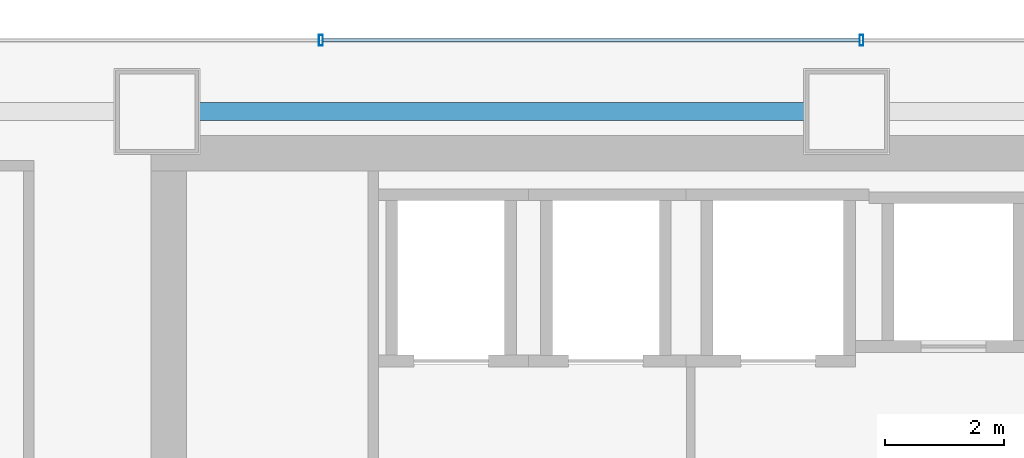
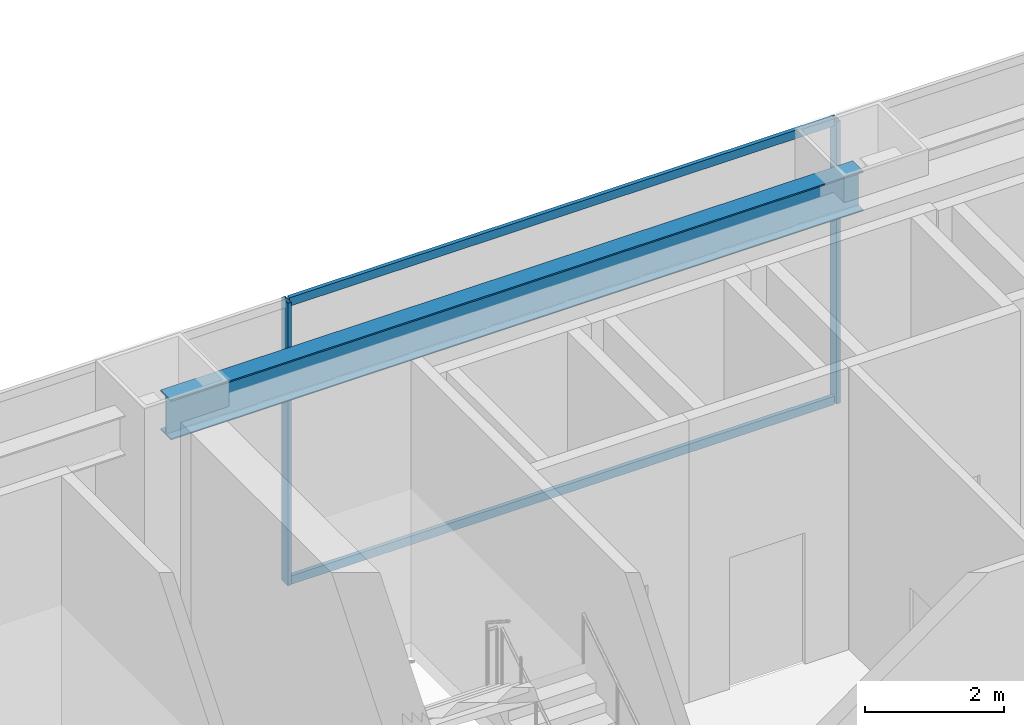
# One storey, part 30 of 42: 4 members, 1 beam, 1 element without a shape of its own.
"""IFC4 building model written with IfcOpenShell, lengths in metres."""

from ifc_helpers import new_model, si_unit, direction, frame, origin, origin_2d, place, context, subcontext, project, spatial, hollow_rectangle, i_section, extrude, material, material_profile, profile_set, type_object, element, aggregate, save


model = new_model("IFC4")

# Units and contexts
model_context = context("Model", 3, precision=1e-05, world=origin(), true_north=direction((0.0, 1.0)))
body_context = subcontext(model_context, "Body", "Model", "MODEL_VIEW")
ifc_project = project(units=[si_unit("LENGTHUNIT", "METRE"), si_unit("AREAUNIT", "SQUARE_METRE"), si_unit("VOLUMEUNIT", "CUBIC_METRE"), si_unit("PLANEANGLEUNIT", "RADIAN"), si_unit("MASSUNIT", "GRAM", prefix="KILO")], contexts=[model_context])

# Site, building, storey
site_placement = place(None, origin())
site = spatial("IfcSite", under=ifc_project, at=site_placement, CompositionType="ELEMENT")
building_placement = place(site_placement, origin())
building = spatial("IfcBuilding", under=site, at=building_placement, Name="Saevonmaru Cultural Tower", CompositionType="ELEMENT")
storey_placement = place(building_placement, frame((0.0, 0.0, 33.0)))
storey = spatial("IfcBuildingStorey", under=building, at=storey_placement, Name="L06", CompositionType="ELEMENT", Elevation=33.0)

# Beam
ifc_material_1 = material(Name="Steel SM355", Category="steel")
ifc_material_profile_1 = material_profile(ifc_material_1, i_section(OverallWidth=0.300048828125, OverallDepth=0.699951171875, WebThickness=0.012939453125, FlangeThickness=0.02392578125, FilletRadius=0.02587890625, at=origin_2d()), Name="H-700x300x13x24")
ifc_profile_set_1 = profile_set([ifc_material_profile_1], Name="Steel SM355")
beam_type = type_object("IfcBeamType", Name="BM-SP-H700", PredefinedType="SPANDREL", material=ifc_profile_set_1)
beam_placement = place(storey_placement, frame((13.659912109375, 54.800048828125, 4.60009765625), z_axis=(1.0, 0.0, 0.0), x_axis=(0.0, 1.0, 0.0)))
element("IfcBeam", 1, at=beam_placement, inside=storey, type_object=beam_type, Name="L06 North Spine Girder 2", PredefinedType="SPANDREL", context=body_context, shape_type="SweptSolid", body=[
    extrude(i_section(OverallWidth=0.300048828125, OverallDepth=0.699951171875, WebThickness=0.012939453125, FlangeThickness=0.02392578125, FilletRadius=0.02587890625, at=origin_2d()), origin(), (0.0, 0.0, 1.0), 11.47998046875),
])

# Curtain wall, members
ifc_material_2 = material(Name="Satin Bronze Anodised Aluminium", Category="aluminium")
curtain_wall_type = type_object("IfcCurtainWallType", Name="CW-SKY-GLZ", PredefinedType="NOTDEFINED", material=ifc_material_2)
curtain_wall_placement = place(storey_placement, origin())
curtain_wall = element("IfcCurtainWall", 2, at=curtain_wall_placement, inside=storey, type_object=curtain_wall_type, Name="L06 Unitised Curtain Wall E10", PredefinedType="NOTDEFINED")
ifc_material_profile_2 = material_profile(ifc_material_2, hollow_rectangle(XDim=0.06494140625, YDim=0.179931640625, WallThickness=0.00390625, at=origin_2d()), Name="ALU-MULL-180x65x4")
ifc_profile_set_2 = profile_set([ifc_material_profile_2], Name="Satin Bronze Anodised Aluminium")
member_type_1 = type_object("IfcMemberType", Name="ML-CW-180x65", PredefinedType="MULLION", material=ifc_profile_set_2)
member_1_placement = place(storey_placement, frame((25.451904296875, 56.0, 0.0), z_axis=(0.0, 0.0, 1.0), x_axis=(-1.0, 0.0, 0.0)))
member_1 = element("IfcMember", 3, at=member_1_placement, type_object=member_type_1, Name="CW-TW-L06-E10 mullion 4", PredefinedType="MULLION", context=body_context, shape_type="SweptSolid", body=[
    extrude(hollow_rectangle(XDim=0.06494140625, YDim=0.179931640625, WallThickness=0.00390625, at=origin_2d()), origin(), (0.0, 0.0, 1.0), 4.949951171875),
])
member_2_placement = place(storey_placement, frame((16.35595703125, 56.0, 0.0), z_axis=(0.0, 0.0, 1.0), x_axis=(-1.0, 0.0, 0.0)))
member_2 = element("IfcMember", 4, at=member_2_placement, type_object=member_type_1, Name="CW-TW-L06-E10 mullion 5", PredefinedType="MULLION", context=body_context, shape_type="SweptSolid", body=[
    extrude(hollow_rectangle(XDim=0.06494140625, YDim=0.179931640625, WallThickness=0.00390625, at=origin_2d()), origin(), (0.0, 0.0, 1.0), 4.949951171875),
])
ifc_material_profile_3 = material_profile(ifc_material_2, hollow_rectangle(XDim=0.06494140625, YDim=0.14990234375, WallThickness=0.00390625, at=origin_2d()), Name="ALU-TRAN-150x65x4")
ifc_profile_set_3 = profile_set([ifc_material_profile_3], Name="Satin Bronze Anodised Aluminium")
member_type_2 = type_object("IfcMemberType", Name="TR-CW-150x65", PredefinedType="USERDEFINED", material=ifc_profile_set_3)
member_3_placement = place(storey_placement, frame((25.41943359375, 56.0, 0.032470703125), z_axis=(-1.0, 0.0, 0.0), x_axis=(0.0, -1.0, 0.0)))
member_3 = element("IfcMember", 5, at=member_3_placement, type_object=member_type_2, Name="CW-TW-L06-E10 transom 4.1", ObjectType="TRANSOM", PredefinedType="USERDEFINED", context=body_context, shape_type="SweptSolid", body=[
    extrude(hollow_rectangle(XDim=0.06494140625, YDim=0.14990234375, WallThickness=0.00390625, at=origin_2d()), origin(), (0.0, 0.0, 1.0), 9.031005859375),
])
member_4_placement = place(storey_placement, frame((25.41943359375, 56.0, 4.91748046875), z_axis=(-1.0, 0.0, 0.0), x_axis=(0.0, -1.0, 0.0)))
member_4 = element("IfcMember", 6, at=member_4_placement, type_object=member_type_2, Name="CW-TW-L06-E10 transom 4.2", ObjectType="TRANSOM", PredefinedType="USERDEFINED", context=body_context, shape_type="SweptSolid", body=[
    extrude(hollow_rectangle(XDim=0.06494140625, YDim=0.14990234375, WallThickness=0.00390625, at=origin_2d()), origin(), (0.0, 0.0, 1.0), 9.031005859375),
])
aggregate(curtain_wall, [member_1, member_2, member_3, member_4])

save(model, "model.ifc")
